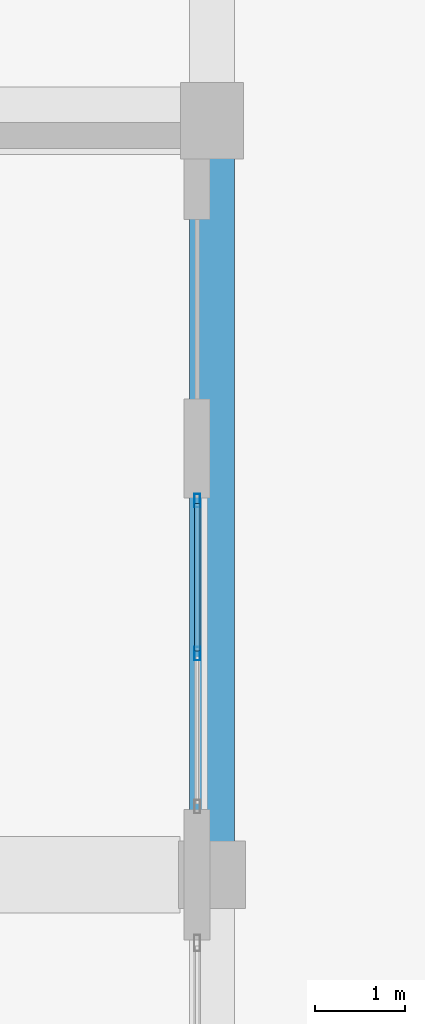
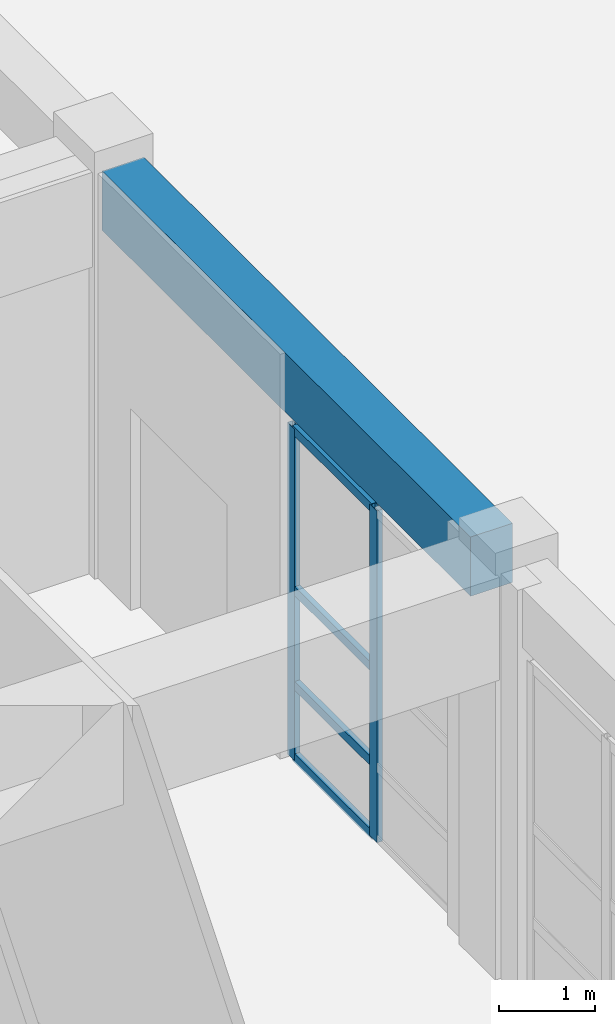
# One storey, part 28 of 148: 6 members, 1 beam, 1 element without a shape of its own.
"""IFC4 building model written with IfcOpenShell, lengths in metres."""

from ifc_helpers import new_model, si_unit, direction, frame, origin, origin_2d, place, context, subcontext, project, spatial, rectangle, hollow_rectangle, extrude, material, layer, layer_set, material_profile, profile_set, type_object, element, aggregate, save


model = new_model("IFC4")

# Units and contexts
model_context = context("Model", 3, precision=1e-05, world=origin(), true_north=direction((0.0, 1.0)))
body_context = subcontext(model_context, "Body", "Model", "MODEL_VIEW")
ifc_project = project(units=[si_unit("LENGTHUNIT", "METRE"), si_unit("AREAUNIT", "SQUARE_METRE"), si_unit("VOLUMEUNIT", "CUBIC_METRE"), si_unit("PLANEANGLEUNIT", "RADIAN"), si_unit("MASSUNIT", "GRAM", prefix="KILO")], contexts=[model_context])

# Site, building, storey
site_placement = place(None, origin())
site = spatial("IfcSite", under=ifc_project, at=site_placement, CompositionType="ELEMENT")
building_placement = place(site_placement, origin())
building = spatial("IfcBuilding", under=site, at=building_placement, Name="Quendrovan Civic Courthouse", CompositionType="ELEMENT")
storey_placement = place(building_placement, origin())
storey = spatial("IfcBuildingStorey", under=building, at=storey_placement, Name="L01", CompositionType="ELEMENT", Elevation=0.0)

# Beam
ifc_material_1 = material(Name="Concrete C40/50", Category="concrete")
ifc_material_profile_1 = material_profile(ifc_material_1, rectangle(XDim=0.5, YDim=0.75, at=origin_2d()), Name="RC-BM-500x750")
ifc_profile_set_1 = profile_set([ifc_material_profile_1], Name="Concrete C40/50")
beam_type = type_object("IfcBeamType", Name="BM-RC750", PredefinedType="SPANDREL", material=ifc_profile_set_1)
beam_placement = place(storey_placement, frame((16.800048828125, 31.554931640625, 4.7451171875), z_axis=(0.0, 1.0, 0.0), x_axis=(-1.0, 0.0, 0.0)))
element("IfcBeam", 1, at=beam_placement, inside=storey, type_object=beam_type, Name="L01 Girder Y0391", PredefinedType="SPANDREL", context=body_context, shape_type="SweptSolid", body=[
    extrude(rectangle(XDim=0.5, YDim=0.75, at=origin_2d()), origin(), (0.0, 0.0, 1.0), 7.64013671875),
])

# Curtain wall, members
ifc_material_2 = material(Name="Bronze anodised aluminium and low-E glass", Category="aluminium")
ifc_layer = layer(ifc_material_2, 0.179931640625, Name="Bronze anodised aluminium and low-E glass")
ifc_layer_set = layer_set([ifc_layer], Name="Bronze anodised aluminium and low-E glass")
curtain_wall_type = type_object("IfcCurtainWallType", Name="CW-U35x42", PredefinedType="USERDEFINED", material=ifc_layer_set)
curtain_wall_placement = place(storey_placement, origin())
curtain_wall = element("IfcCurtainWall", 2, at=curtain_wall_placement, inside=storey, type_object=curtain_wall_type, Name="L01 Unitised Hurricane Curtain Wall CW-001", ObjectType="UNITISED CURTAIN WALL", PredefinedType="USERDEFINED")
ifc_material_3 = material(Name="Bronze anodised aluminium", Category="aluminium")
ifc_material_profile_2 = material_profile(ifc_material_3, hollow_rectangle(XDim=0.06494140625, YDim=0.14990234375, WallThickness=0.00390625, at=origin_2d()), Name="CW-MULL-65x150")
ifc_profile_set_2 = profile_set([ifc_material_profile_2], Name="Bronze anodised aluminium")
member_type_1 = type_object("IfcMemberType", Name="CW-MULL-B", PredefinedType="MULLION", material=ifc_profile_set_2)
member_1_placement = place(storey_placement, frame((16.635009765625, 35.367431640625, 0.0), z_axis=(0.0, 0.0, 1.0), x_axis=(1.0, 0.0, 0.0)))
member_1 = element("IfcMember", 3, at=member_1_placement, type_object=member_type_1, Name="CW-001 mullion 1", PredefinedType="MULLION", context=body_context, shape_type="SweptSolid", body=[
    extrude(hollow_rectangle(XDim=0.06494140625, YDim=0.14990234375, WallThickness=0.00390625, at=origin_2d()), origin(), (0.0, 0.0, 1.0), 4.199951171875),
])
member_2_placement = place(storey_placement, frame((16.635009765625, 33.66259765625, 0.0), z_axis=(0.0, 0.0, 1.0), x_axis=(1.0, 0.0, 0.0)))
member_2 = element("IfcMember", 4, at=member_2_placement, type_object=member_type_1, Name="CW-001 mullion 2", PredefinedType="MULLION", context=body_context, shape_type="SweptSolid", body=[
    extrude(hollow_rectangle(XDim=0.06494140625, YDim=0.14990234375, WallThickness=0.00390625, at=origin_2d()), origin(), (0.0, 0.0, 1.0), 4.199951171875),
])
ifc_material_profile_3 = material_profile(ifc_material_3, hollow_rectangle(XDim=0.06494140625, YDim=0.114990234375, WallThickness=0.00390625, at=origin_2d()), Name="CW-TRAN-65x115")
ifc_profile_set_3 = profile_set([ifc_material_profile_3], Name="Bronze anodised aluminium")
member_type_2 = type_object("IfcMemberType", Name="CW-TRAN-B", PredefinedType="USERDEFINED", material=ifc_profile_set_3)
member_3_placement = place(storey_placement, frame((16.635009765625, 35.3349609375, 0.032470703125), z_axis=(0.0, -1.0, 0.0), x_axis=(1.0, 0.0, 0.0)))
member_3 = element("IfcMember", 5, at=member_3_placement, type_object=member_type_2, Name="CW-001 transom 1.1", ObjectType="TRANSOM", PredefinedType="USERDEFINED", context=body_context, shape_type="SweptSolid", body=[
    extrude(hollow_rectangle(XDim=0.06494140625, YDim=0.114990234375, WallThickness=0.00390625, at=origin_2d()), origin(), (0.0, 0.0, 1.0), 1.639892578125),
])
member_4_placement = place(storey_placement, frame((16.635009765625, 35.3349609375, 0.949951171875), z_axis=(0.0, -1.0, 0.0), x_axis=(1.0, 0.0, 0.0)))
member_4 = element("IfcMember", 6, at=member_4_placement, type_object=member_type_2, Name="CW-001 transom 1.2", ObjectType="TRANSOM", PredefinedType="USERDEFINED", context=body_context, shape_type="SweptSolid", body=[
    extrude(hollow_rectangle(XDim=0.06494140625, YDim=0.114990234375, WallThickness=0.00390625, at=origin_2d()), origin(), (0.0, 0.0, 1.0), 1.639892578125),
])
member_5_placement = place(storey_placement, frame((16.635009765625, 35.3349609375, 2.14990234375), z_axis=(0.0, -1.0, 0.0), x_axis=(1.0, 0.0, 0.0)))
member_5 = element("IfcMember", 7, at=member_5_placement, type_object=member_type_2, Name="CW-001 transom 1.3", ObjectType="TRANSOM", PredefinedType="USERDEFINED", context=body_context, shape_type="SweptSolid", body=[
    extrude(hollow_rectangle(XDim=0.06494140625, YDim=0.114990234375, WallThickness=0.00390625, at=origin_2d()), origin(), (0.0, 0.0, 1.0), 1.639892578125),
])
member_6_placement = place(storey_placement, frame((16.635009765625, 35.3349609375, 4.16748046875), z_axis=(0.0, -1.0, 0.0), x_axis=(1.0, 0.0, 0.0)))
member_6 = element("IfcMember", 8, at=member_6_placement, type_object=member_type_2, Name="CW-001 transom 1.4", ObjectType="TRANSOM", PredefinedType="USERDEFINED", context=body_context, shape_type="SweptSolid", body=[
    extrude(hollow_rectangle(XDim=0.06494140625, YDim=0.114990234375, WallThickness=0.00390625, at=origin_2d()), origin(), (0.0, 0.0, 1.0), 1.639892578125),
])
aggregate(curtain_wall, [member_1, member_2, member_3, member_4, member_5, member_6])

save(model, "model.ifc")
